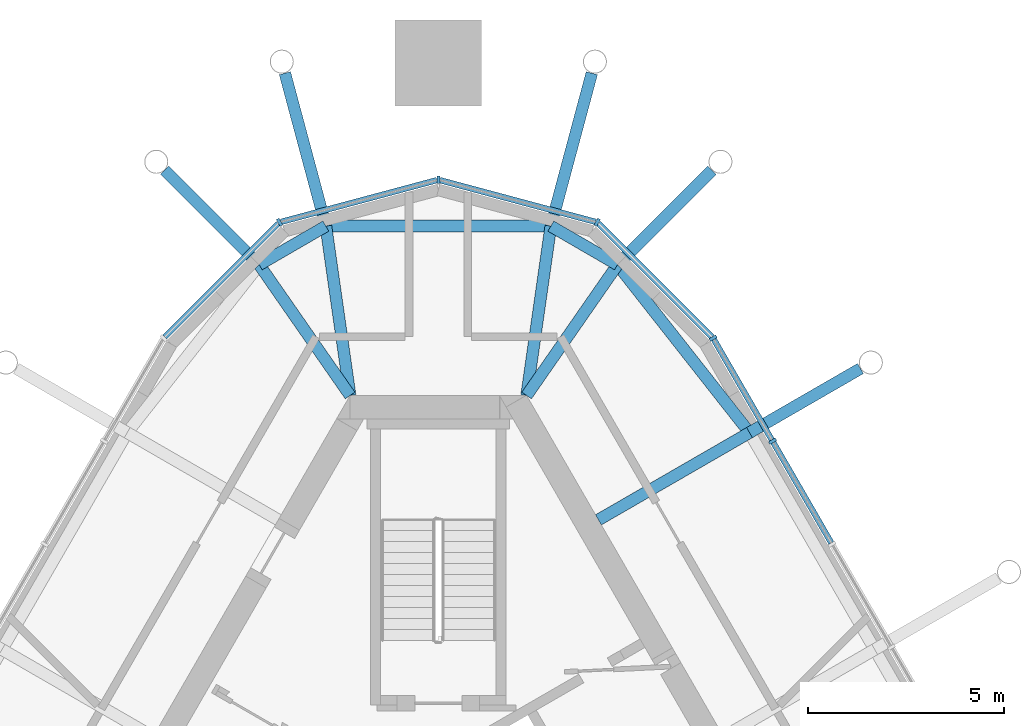
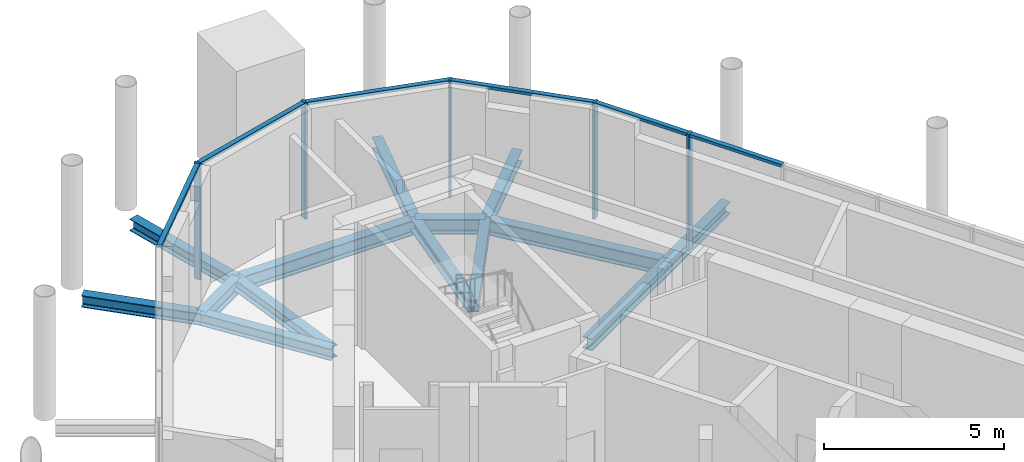
# One storey, part 5 of 11: 14 beams, 11 members, 2 elements without a shape of their own.
"""IFC4 building model written with IfcOpenShell, lengths in metres."""

from ifc_helpers import new_model, si_unit, direction, frame, origin, origin_2d, place, context, subcontext, project, spatial, rectangle, i_section, extrude, material, material_profile, profile_set, type_object, element, aggregate, save


model = new_model("IFC4")

# Units and contexts
model_context = context("Model", 3, precision=1e-05, world=origin(), true_north=direction((0.0, 1.0)))
body_context = subcontext(model_context, "Body", "Model", "MODEL_VIEW")
ifc_project = project(units=[si_unit("LENGTHUNIT", "METRE"), si_unit("AREAUNIT", "SQUARE_METRE"), si_unit("VOLUMEUNIT", "CUBIC_METRE"), si_unit("PLANEANGLEUNIT", "RADIAN"), si_unit("MASSUNIT", "GRAM", prefix="KILO")], contexts=[model_context])

# Site, building, storey
site_placement = place(None, origin())
site = spatial("IfcSite", under=ifc_project, at=site_placement, CompositionType="ELEMENT")
building_placement = place(site_placement, origin())
building = spatial("IfcBuilding", under=site, at=building_placement, Name="Mestral Congress Tower", CompositionType="ELEMENT")
storey_placement = place(building_placement, frame((0.0, 0.0, 340.199951171875)))
storey = spatial("IfcBuildingStorey", under=building, at=storey_placement, Name="L79", CompositionType="ELEMENT", Elevation=340.199951171875)

# Curtain wall, members
ifc_material_1 = material(Name="Glazed ceramic", Category="masonry")
curtain_wall_type = type_object("IfcCurtainWallType", Name="Facade plant louvre screen", PredefinedType="USERDEFINED", material=ifc_material_1)
placement = place(storey_placement, origin())
curtain_wall_1 = element("IfcCurtainWall", 1, at=placement, inside=storey, type_object=curtain_wall_type, Name="Plant louvre screen side 2", ObjectType="CURTAIN WALL", PredefinedType="USERDEFINED")
ifc_material_2 = material(Name="Anodised aluminium", Category="aluminium")
ifc_material_profile_1 = material_profile(ifc_material_2, rectangle(XDim=0.199951171875, YDim=0.080078125, at=origin_2d()), Name="CW6 mullion 200 x 80")
ifc_profile_set_1 = profile_set([ifc_material_profile_1], Name="Anodised aluminium")
member_type_1 = type_object("IfcMemberType", Name="Facade plant louvre screen mullion", PredefinedType="MULLION", material=ifc_profile_set_1)
member_1_placement = place(storey_placement, frame((8.525390625, 15.43359375, 0.0), z_axis=(0.0, 0.0, 1.0), x_axis=(0.866024531118, 0.500001511499, 0.0)))
member_1 = element("IfcMember", 2, at=member_1_placement, type_object=member_type_1, Name="Facade plant louvre screen mullion", PredefinedType="MULLION", context=body_context, shape_type="SweptSolid", body=[
    extrude(rectangle(XDim=0.199951171875, YDim=0.080078125, at=origin_2d()), origin(), (0.0, 0.0, 1.0), 3.949951171875),
])
member_2_placement = place(storey_placement, frame((7.00830078125, 18.061279296875, 0.0), z_axis=(0.0, 0.0, 1.0), x_axis=(0.866024531118, 0.500001511499, 0.0)))
member_2 = element("IfcMember", 3, at=member_2_placement, type_object=member_type_1, Name="Facade plant louvre screen mullion", PredefinedType="MULLION", context=body_context, shape_type="SweptSolid", body=[
    extrude(rectangle(XDim=0.199951171875, YDim=0.080078125, at=origin_2d()), origin(), (0.0, 0.0, 1.0), 3.949951171875),
])

curtain_wall_2 = element("IfcCurtainWall", 4, at=placement, inside=storey, type_object=curtain_wall_type, Name="Plant louvre screen corner 3", ObjectType="CURTAIN WALL", PredefinedType="USERDEFINED")
member_3_placement = place(storey_placement, frame((4.0517578125, 21.017822265625, 0.0), z_axis=(0.0, 0.0, 1.0), x_axis=(0.5, 0.866025403784, 0.0)))
member_3 = element("IfcMember", 5, at=member_3_placement, type_object=member_type_1, Name="Facade plant louvre screen mullion", PredefinedType="MULLION", context=body_context, shape_type="SweptSolid", body=[
    extrude(rectangle(XDim=0.199951171875, YDim=0.080078125, at=origin_2d()), origin(), (0.0, 0.0, 1.0), 3.949951171875),
])
member_4_placement = place(storey_placement, frame((0.0, 22.103515625, 0.0), z_axis=(0.0, 0.0, 1.0), x_axis=(0.0, 1.0, 0.0)))
member_4 = element("IfcMember", 6, at=member_4_placement, type_object=member_type_1, Name="Facade plant louvre screen mullion", PredefinedType="MULLION", context=body_context, shape_type="SweptSolid", body=[
    extrude(rectangle(XDim=0.199951171875, YDim=0.080078125, at=origin_2d()), origin(), (0.0, 0.0, 1.0), 3.949951171875),
])
member_5_placement = place(storey_placement, frame((-4.0517578125, 21.017822265625, 0.0), z_axis=(0.0, 0.0, 1.0), x_axis=(-0.5, 0.866025403784, 0.0)))
member_5 = element("IfcMember", 7, at=member_5_placement, type_object=member_type_1, Name="Facade plant louvre screen mullion", PredefinedType="MULLION", context=body_context, shape_type="SweptSolid", body=[
    extrude(rectangle(XDim=0.199951171875, YDim=0.080078125, at=origin_2d()), origin(), (0.0, 0.0, 1.0), 3.949951171875),
])

# Member
ifc_material_profile_2 = material_profile(ifc_material_2, rectangle(XDim=0.14990234375, YDim=0.10009765625, at=origin_2d()), Name="CW6 transom 150 x 100")
ifc_profile_set_2 = profile_set([ifc_material_profile_2], Name="Anodised aluminium")
member_type_2 = type_object("IfcMemberType", Name="Facade plant louvre screen transom", PredefinedType="USERDEFINED", material=ifc_profile_set_2)
member_6_placement = place(storey_placement, frame((10.022705078125, 12.84033203125, 3.900146484375), z_axis=(-0.50002288008, 0.866012193561, 0.0), x_axis=(-0.866012193561, -0.50002288008, 0.0)))
member_6 = element("IfcMember", 8, at=member_6_placement, type_object=member_type_2, Name="Facade plant louvre screen transom", ObjectType="TRANSOM", PredefinedType="USERDEFINED", context=body_context, shape_type="SweptSolid", body=[
    extrude(rectangle(XDim=0.14990234375, YDim=0.10009765625, at=origin_2d()), origin(), (0.0, 0.0, 1.0), 2.954345703125),
])

member_7_placement = place(storey_placement, frame((8.50537109375, 15.46826171875, 3.900146484375), z_axis=(-0.499960902066, 0.86604797581, 0.0), x_axis=(-0.86604797581, -0.499960902066, 0.0)))
member_7 = element("IfcMember", 9, at=member_7_placement, type_object=member_type_2, Name="Facade plant louvre screen transom", ObjectType="TRANSOM", PredefinedType="USERDEFINED", context=body_context, shape_type="SweptSolid", body=[
    extrude(rectangle(XDim=0.14990234375, YDim=0.10009765625, at=origin_2d()), origin(), (0.0, 0.0, 1.0), 2.954345703125),
])

aggregate(curtain_wall_1, [member_1, member_2, member_6, member_7])

member_8_placement = place(storey_placement, frame((6.97998046875, 18.089599609375, 3.900146484375), z_axis=(-0.707106781187, 0.707106781187, 0.0), x_axis=(-0.707106781187, -0.707106781187, 0.0)))
member_8 = element("IfcMember", 10, at=member_8_placement, type_object=member_type_2, Name="Facade plant louvre screen transom", ObjectType="TRANSOM", PredefinedType="USERDEFINED", context=body_context, shape_type="SweptSolid", body=[
    extrude(rectangle(XDim=0.14990234375, YDim=0.10009765625, at=origin_2d()), origin(), (0.0, 0.0, 1.0), 4.10107421875),
])

member_9_placement = place(storey_placement, frame((4.01318359375, 21.0283203125, 3.900146484375), z_axis=(-0.965928983476, 0.258807262034, 0.0), x_axis=(-0.258807262034, -0.965928983476, 0.0)))
member_9 = element("IfcMember", 11, at=member_9_placement, type_object=member_type_2, Name="Facade plant louvre screen transom", ObjectType="TRANSOM", PredefinedType="USERDEFINED", context=body_context, shape_type="SweptSolid", body=[
    extrude(rectangle(XDim=0.14990234375, YDim=0.10009765625, at=origin_2d()), origin(), (0.0, 0.0, 1.0), 4.11474609375),
])

member_10_placement = place(storey_placement, frame((-0.03857421875, 22.09326171875, 3.900146484375), z_axis=(-0.965928983476, -0.258807262034, 0.0), x_axis=(0.258807262034, -0.965928983476, 0.0)))
member_10 = element("IfcMember", 12, at=member_10_placement, type_object=member_type_2, Name="Facade plant louvre screen transom", ObjectType="TRANSOM", PredefinedType="USERDEFINED", context=body_context, shape_type="SweptSolid", body=[
    extrude(rectangle(XDim=0.14990234375, YDim=0.10009765625, at=origin_2d()), origin(), (0.0, 0.0, 1.0), 4.11474609375),
])

member_11_placement = place(storey_placement, frame((-4.080078125, 20.989501953125, 3.900146484375), z_axis=(-0.707106781187, -0.707106781187, 0.0), x_axis=(0.707106781187, -0.707106781187, 0.0)))
member_11 = element("IfcMember", 13, at=member_11_placement, type_object=member_type_2, Name="Facade plant louvre screen transom", ObjectType="TRANSOM", PredefinedType="USERDEFINED", context=body_context, shape_type="SweptSolid", body=[
    extrude(rectangle(XDim=0.14990234375, YDim=0.10009765625, at=origin_2d()), origin(), (0.0, 0.0, 1.0), 4.10107421875),
])

aggregate(curtain_wall_2, [member_3, member_4, member_5, member_8, member_9, member_10, member_11])

# Beams
ifc_material_3 = material(Name="Steel S355", Category="steel")
ifc_material_profile_3 = material_profile(ifc_material_3, i_section(OverallWidth=0.300048828125, OverallDepth=0.39990234375, WebThickness=0.013427734375, FlangeThickness=0.02392578125, FilletRadius=0.027099609375, at=origin_2d()), Name="HEB 400")
ifc_profile_set_3 = profile_set([ifc_material_profile_3], Name="Steel S355")
beam_type_1 = type_object("IfcBeamType", Name="Floor beam HEB 400 S355", PredefinedType="BEAM", material=ifc_profile_set_3)
beam_1_placement = place(storey_placement, frame((-2.251708984375, 16.60009765625, -0.449951171875), z_axis=(-0.570662800291, 0.821184491064, 0.0), x_axis=(-0.821184491064, -0.570662800291, 0.0)))
element("IfcBeam", 14, at=beam_1_placement, inside=storey, type_object=beam_type_1, Name="BM-L79-KR12", PredefinedType="BEAM", context=body_context, shape_type="SweptSolid", body=[
    extrude(i_section(OverallWidth=0.300048828125, OverallDepth=0.39990234375, WebThickness=0.013427734375, FlangeThickness=0.02392578125, FilletRadius=0.027099609375, at=origin_2d()), origin(), (0.0, 0.0, 1.0), 4.060791015625),
])
for number, where, z_axis, x_axis, name in (
    (15, (-2.251708984375, 16.60009765625, -0.449951171875), (-0.141523162666, 0.989934944544, 0.0), (-0.989934944544, -0.141523162666, 0.0), "BM-L79-KR13"),
    (16, (2.251708984375, 16.60009765625, -0.449951171875), (0.141523162666, 0.989934944544, 0.0), (-0.989934944544, 0.141523162666, 0.0), "BM-L79-KR14"),
):
    element("IfcBeam", number, at=place(storey_placement, frame(where, z_axis=z_axis, x_axis=x_axis)), inside=storey, type_object=beam_type_1, Name=name, PredefinedType="BEAM", context=body_context, shape_type="SweptSolid", body=[
        extrude(i_section(OverallWidth=0.300048828125, OverallDepth=0.39990234375, WebThickness=0.013427734375, FlangeThickness=0.02392578125, FilletRadius=0.027099609375, at=origin_2d()), origin(), (0.0, 0.0, 1.0), 4.364501953125),
    ])
beam_2_placement = place(storey_placement, frame((2.251708984375, 16.60009765625, -0.449951171875), z_axis=(0.570662800291, 0.821184491064, 0.0), x_axis=(-0.821184491064, 0.570662800291, 0.0)))
element("IfcBeam", 17, at=beam_2_placement, inside=storey, type_object=beam_type_1, Name="BM-L79-KR15", PredefinedType="BEAM", context=body_context, shape_type="SweptSolid", body=[
    extrude(i_section(OverallWidth=0.300048828125, OverallDepth=0.39990234375, WebThickness=0.013427734375, FlangeThickness=0.02392578125, FilletRadius=0.027099609375, at=origin_2d()), origin(), (0.0, 0.0, 1.0), 4.060791015625),
])
beam_3_placement = place(storey_placement, frame((4.083251953125, 13.427734375, -0.449951171875), z_axis=(0.866036664382, 0.499980495566, 0.0), x_axis=(-0.499980495566, 0.866036664382, 0.0)))
element("IfcBeam", 18, at=beam_3_placement, inside=storey, type_object=beam_type_1, Name="BM-L79-KR16", PredefinedType="BEAM", context=body_context, shape_type="SweptSolid", body=[
    extrude(i_section(OverallWidth=0.300048828125, OverallDepth=0.39990234375, WebThickness=0.013427734375, FlangeThickness=0.02392578125, FilletRadius=0.027099609375, at=origin_2d()), origin(), (0.0, 0.0, 1.0), 4.449951171875),
])
beam_4_placement = place(storey_placement, frame((-6.979736328125, 22.34521484375, -0.449951171875), z_axis=(0.707142588594, -0.707070971966, 0.0), x_axis=(0.707070971966, 0.707142588594, 0.0)))
element("IfcBeam", 19, at=beam_4_placement, inside=storey, type_object=beam_type_1, Name="BM-L79-KT-C5-W00", PredefinedType="BEAM", context=body_context, shape_type="SweptSolid", body=[
    extrude(i_section(OverallWidth=0.300048828125, OverallDepth=0.39990234375, WebThickness=0.013427734375, FlangeThickness=0.02392578125, FilletRadius=0.027099609375, at=origin_2d()), origin(), (0.0, 0.0, 1.0), 3.408935546875),
])
for number, where, z_axis, x_axis, name in (
    (20, (-3.91455078125, 24.821533203125, -0.449951171875), (0.258802563966, -0.965930242246, 0.0), (0.965930242246, 0.258802563966, 0.0), "BM-L79-KT-C5-N3"),
    (21, (3.91455078125, 24.821533203125, -0.449951171875), (-0.258802563966, -0.965930242246, 0.0), (0.965930242246, -0.258802563966, 0.0), "BM-L79-KT-C5-N1"),
):
    element("IfcBeam", number, at=place(storey_placement, frame(where, z_axis=z_axis, x_axis=x_axis)), inside=storey, type_object=beam_type_1, Name=name, PredefinedType="BEAM", context=body_context, shape_type="SweptSolid", body=[
        extrude(i_section(OverallWidth=0.300048828125, OverallDepth=0.39990234375, WebThickness=0.013427734375, FlangeThickness=0.02392578125, FilletRadius=0.027099609375, at=origin_2d()), origin(), (0.0, 0.0, 1.0), 4.03857421875),
    ])
beam_5_placement = place(storey_placement, frame((6.979736328125, 22.34521484375, -0.449951171875), z_axis=(-0.707142588594, -0.707070971966, 0.0), x_axis=(0.707070971966, -0.707142588594, 0.0)))
element("IfcBeam", 22, at=beam_5_placement, inside=storey, type_object=beam_type_1, Name="BM-L79-KT-C5-E05", PredefinedType="BEAM", context=body_context, shape_type="SweptSolid", body=[
    extrude(i_section(OverallWidth=0.300048828125, OverallDepth=0.39990234375, WebThickness=0.013427734375, FlangeThickness=0.02392578125, FilletRadius=0.027099609375, at=origin_2d()), origin(), (0.0, 0.0, 1.0), 3.408935546875),
])
beam_6_placement = place(storey_placement, frame((10.767822265625, 17.287109375, -0.449951171875), z_axis=(-0.866005234444, -0.500034932695, 0.0), x_axis=(0.500034932695, -0.866005234444, 0.0)))
element("IfcBeam", 23, at=beam_6_placement, inside=storey, type_object=beam_type_1, Name="BM-L79-KT-C5-E04", PredefinedType="BEAM", context=body_context, shape_type="SweptSolid", body=[
    extrude(i_section(OverallWidth=0.300048828125, OverallDepth=0.39990234375, WebThickness=0.013427734375, FlangeThickness=0.02392578125, FilletRadius=0.027099609375, at=origin_2d()), origin(), (0.0, 0.0, 1.0), 3.268798828125),
])
ifc_material_profile_4 = material_profile(ifc_material_3, i_section(OverallWidth=0.300048828125, OverallDepth=0.5, WebThickness=0.014404296875, FlangeThickness=0.028076171875, FilletRadius=0.027099609375, at=origin_2d()), Name="HEB 500")
ifc_profile_set_4 = profile_set([ifc_material_profile_4], Name="Steel S355")
beam_type_2 = type_object("IfcBeamType", Name="Floor beam HEB 500 S355", PredefinedType="BEAM", material=ifc_profile_set_4)
beam_7_placement = place(storey_placement, frame((-4.569091796875, 19.934814453125, -0.5), z_axis=(0.865029032264, 0.501721808716, 0.0), x_axis=(-0.501721808716, 0.865029032264, 0.0)))
element("IfcBeam", 24, at=beam_7_placement, inside=storey, type_object=beam_type_2, Name="BM-L79-KG12", PredefinedType="BEAM", context=body_context, shape_type="SweptSolid", body=[
    extrude(i_section(OverallWidth=0.300048828125, OverallDepth=0.5, WebThickness=0.014404296875, FlangeThickness=0.028076171875, FilletRadius=0.027099609375, at=origin_2d()), origin(), (0.0, 0.0, 1.0), 1.96484375),
])
beam_8_placement = place(storey_placement, frame((-2.869384765625, 20.920654296875, -0.5), z_axis=(1.0, 0.0, 0.0), x_axis=(0.0, 1.0, 0.0)))
element("IfcBeam", 25, at=beam_8_placement, inside=storey, type_object=beam_type_2, Name="BM-L79-KG13", PredefinedType="BEAM", context=body_context, shape_type="SweptSolid", body=[
    extrude(i_section(OverallWidth=0.300048828125, OverallDepth=0.5, WebThickness=0.014404296875, FlangeThickness=0.028076171875, FilletRadius=0.027099609375, at=origin_2d()), origin(), (0.0, 0.0, 1.0), 5.73876953125),
])
beam_9_placement = place(storey_placement, frame((2.869384765625, 20.920654296875, -0.5), z_axis=(0.865029032264, -0.501721808716, 0.0), x_axis=(0.501721808716, 0.865029032264, 0.0)))
element("IfcBeam", 26, at=beam_9_placement, inside=storey, type_object=beam_type_2, Name="BM-L79-KG14", PredefinedType="BEAM", context=body_context, shape_type="SweptSolid", body=[
    extrude(i_section(OverallWidth=0.300048828125, OverallDepth=0.5, WebThickness=0.014404296875, FlangeThickness=0.028076171875, FilletRadius=0.027099609375, at=origin_2d()), origin(), (0.0, 0.0, 1.0), 1.96484375),
])
beam_10_placement = place(storey_placement, frame((4.569091796875, 19.934814453125, -0.5), z_axis=(0.618197515987, -0.786022793071, 0.0), x_axis=(0.786022793071, 0.618197515987, 0.0)))
element("IfcBeam", 27, at=beam_10_placement, inside=storey, type_object=beam_type_2, Name="BM-L79-KG15", PredefinedType="BEAM", context=body_context, shape_type="SweptSolid", body=[
    extrude(i_section(OverallWidth=0.300048828125, OverallDepth=0.5, WebThickness=0.014404296875, FlangeThickness=0.028076171875, FilletRadius=0.027099609375, at=origin_2d()), origin(), (0.0, 0.0, 1.0), 5.447998046875),
])

save(model, "model.ifc")
